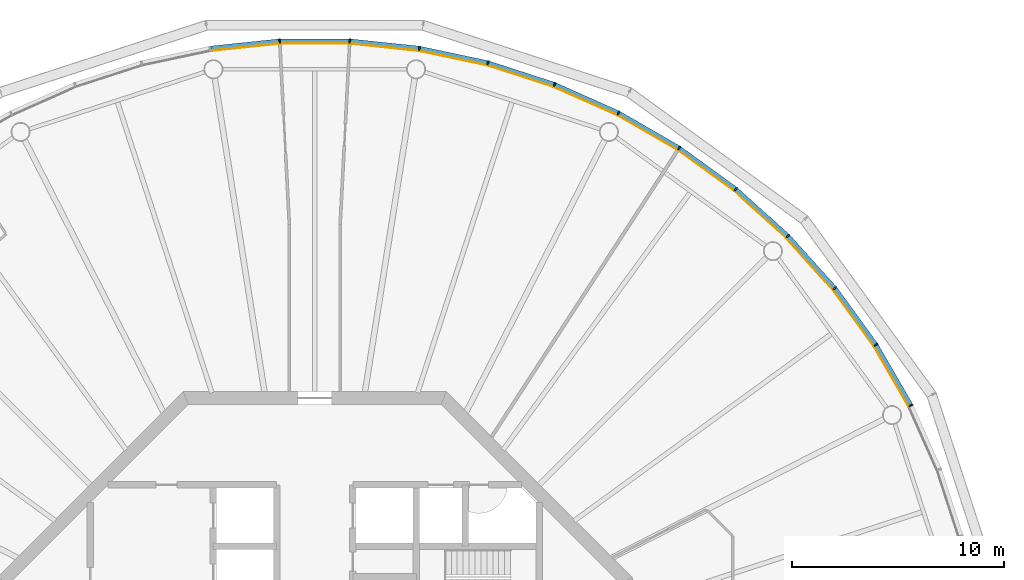
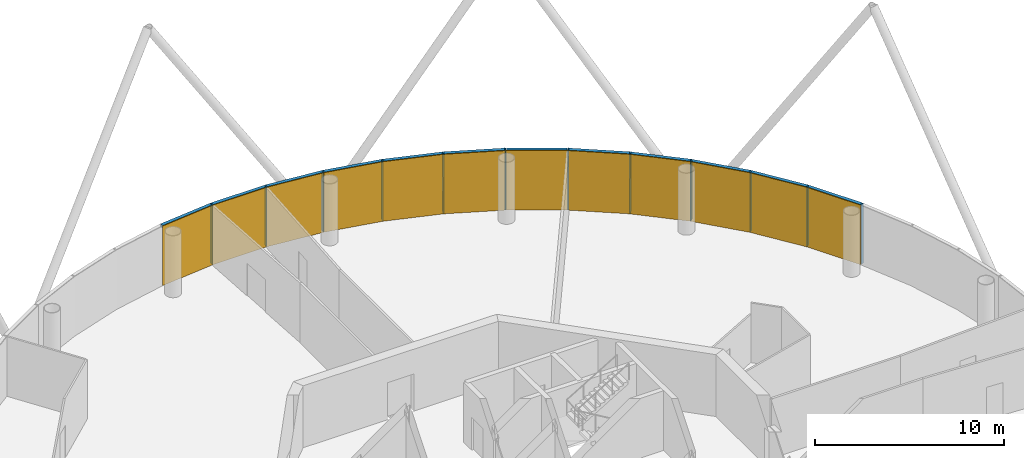
# One storey, part 12 of 13: 24 members, 4 curtain walls.
"""IFC4 building model written with IfcOpenShell, lengths in metres."""

from ifc_helpers import new_model, si_unit, direction, frame, origin, origin_2d, place, context, subcontext, project, spatial, polyline, rectangle, outline, extrude, material, layer, layer_set, material_profile, profile_set, type_object, element, aggregate, save


model = new_model("IFC4")

# Units and contexts
model_context = context("Model", 3, precision=1e-05, world=origin(), true_north=direction((0.0, 1.0)))
body_context = subcontext(model_context, "Body", "Model", "MODEL_VIEW")
ifc_project = project(units=[si_unit("LENGTHUNIT", "METRE"), si_unit("AREAUNIT", "SQUARE_METRE"), si_unit("VOLUMEUNIT", "CUBIC_METRE"), si_unit("PLANEANGLEUNIT", "RADIAN"), si_unit("MASSUNIT", "GRAM", prefix="KILO")], contexts=[model_context])

# Member
ifc_material_1 = material(Name="Anodised aluminium", Category="aluminium")
ifc_material_profile_1 = material_profile(ifc_material_1, rectangle(XDim=0.070068359375, YDim=0.205078125, at=origin_2d()), Name="Mullion 70 x 205 mm anodised aluminium")
ifc_profile_set_1 = profile_set([ifc_material_profile_1], Name="Anodised aluminium")
member_type_1 = type_object("IfcMemberType", Name="Mullion 70 x 205 mm anodised aluminium", PredefinedType="MULLION", material=ifc_profile_set_1)
site_placement = place(None, origin())
building_placement = place(site_placement, origin())
storey_placement = place(building_placement, frame((0.0, 0.0, 356.0)))
member_1_placement = place(storey_placement, frame((118.157958984375, 94.34716796875, 0.0), z_axis=(0.0, 0.0, 1.0), x_axis=(-0.45399049974, 0.891006524188, 0.0)))
member_1 = element("IfcMember", 1, at=member_1_placement, type_object=member_type_1, Name="MULLION L82-03", PredefinedType="MULLION", context=body_context, shape_type="SweptSolid", body=[
    extrude(rectangle(XDim=0.070068359375, YDim=0.205078125, at=origin_2d()), origin(), (0.0, 0.0, 1.0), 3.85009765625),
])

member_2_placement = place(storey_placement, frame((116.504150390625, 97.2119140625, 0.0), z_axis=(0.0, 0.0, 1.0), x_axis=(-0.544639035015, 0.838670567945, 0.0)))
member_2 = element("IfcMember", 2, at=member_2_placement, type_object=member_type_1, Name="MULLION L82-04", PredefinedType="MULLION", context=body_context, shape_type="SweptSolid", body=[
    extrude(rectangle(XDim=0.070068359375, YDim=0.205078125, at=origin_2d()), origin(), (0.0, 0.0, 1.0), 3.85009765625),
])

member_3_placement = place(storey_placement, frame((114.559814453125, 99.88818359375, 0.0), z_axis=(0.0, 0.0, 1.0), x_axis=(-0.62932039105, 0.777145961457, 0.0)))
member_3 = element("IfcMember", 3, at=member_3_placement, type_object=member_type_1, Name="MULLION L82-05", PredefinedType="MULLION", context=body_context, shape_type="SweptSolid", body=[
    extrude(rectangle(XDim=0.070068359375, YDim=0.205078125, at=origin_2d()), origin(), (0.0, 0.0, 1.0), 3.85009765625),
])

member_4_placement = place(storey_placement, frame((112.346435546875, 102.346435546875, 0.0), z_axis=(0.0, 0.0, 1.0), x_axis=(-0.707106781187, 0.707106781187, 0.0)))
member_4 = element("IfcMember", 4, at=member_4_placement, type_object=member_type_1, Name="MULLION L82-06", PredefinedType="MULLION", context=body_context, shape_type="SweptSolid", body=[
    extrude(rectangle(XDim=0.070068359375, YDim=0.205078125, at=origin_2d()), origin(), (0.0, 0.0, 1.0), 3.85009765625),
])

member_5_placement = place(storey_placement, frame((109.88818359375, 104.559814453125, 0.0), z_axis=(0.0, 0.0, 1.0), x_axis=(-0.777145961457, 0.62932039105, 0.0)))
member_5 = element("IfcMember", 5, at=member_5_placement, type_object=member_type_1, Name="MULLION L82-07", PredefinedType="MULLION", context=body_context, shape_type="SweptSolid", body=[
    extrude(rectangle(XDim=0.070068359375, YDim=0.205078125, at=origin_2d()), origin(), (0.0, 0.0, 1.0), 3.85009765625),
])

member_6_placement = place(storey_placement, frame((107.2119140625, 106.504150390625, 0.0), z_axis=(0.0, 0.0, 1.0), x_axis=(-0.838670567945, 0.544639035015, 0.0)))
member_6 = element("IfcMember", 6, at=member_6_placement, type_object=member_type_1, Name="MULLION L82-08", PredefinedType="MULLION", context=body_context, shape_type="SweptSolid", body=[
    extrude(rectangle(XDim=0.070068359375, YDim=0.205078125, at=origin_2d()), origin(), (0.0, 0.0, 1.0), 3.85009765625),
])

member_7_placement = place(storey_placement, frame((104.34716796875, 108.157958984375, 0.0), z_axis=(0.0, 0.0, 1.0), x_axis=(-0.891006524188, 0.45399049974, 0.0)))
member_7 = element("IfcMember", 7, at=member_7_placement, type_object=member_type_1, Name="MULLION L82-09", PredefinedType="MULLION", context=body_context, shape_type="SweptSolid", body=[
    extrude(rectangle(XDim=0.070068359375, YDim=0.205078125, at=origin_2d()), origin(), (0.0, 0.0, 1.0), 3.85009765625),
])

member_8_placement = place(storey_placement, frame((101.325439453125, 109.50341796875, 0.0), z_axis=(0.0, 0.0, 1.0), x_axis=(-0.933580426497, 0.358367949545, 0.0)))
member_8 = element("IfcMember", 8, at=member_8_placement, type_object=member_type_1, Name="MULLION L82-10", PredefinedType="MULLION", context=body_context, shape_type="SweptSolid", body=[
    extrude(rectangle(XDim=0.070068359375, YDim=0.205078125, at=origin_2d()), origin(), (0.0, 0.0, 1.0), 3.85009765625),
])

member_9_placement = place(storey_placement, frame((98.179443359375, 110.525634765625, 0.0), z_axis=(0.0, 0.0, 1.0), x_axis=(-0.965925826289, 0.258819045103, 0.0)))
member_9 = element("IfcMember", 9, at=member_9_placement, type_object=member_type_1, Name="MULLION L82-11", PredefinedType="MULLION", context=body_context, shape_type="SweptSolid", body=[
    extrude(rectangle(XDim=0.070068359375, YDim=0.205078125, at=origin_2d()), origin(), (0.0, 0.0, 1.0), 3.85009765625),
])

member_10_placement = place(storey_placement, frame((94.943603515625, 111.21337890625, 0.0), z_axis=(0.0, 0.0, 1.0), x_axis=(-0.987688340595, 0.15643446504, 0.0)))
member_10 = element("IfcMember", 10, at=member_10_placement, type_object=member_type_1, Name="MULLION L82-12", PredefinedType="MULLION", context=body_context, shape_type="SweptSolid", body=[
    extrude(rectangle(XDim=0.070068359375, YDim=0.205078125, at=origin_2d()), origin(), (0.0, 0.0, 1.0), 3.85009765625),
])

member_11_placement = place(storey_placement, frame((91.654052734375, 111.55908203125, 0.0), z_axis=(0.0, 0.0, 1.0), x_axis=(-0.998629534755, 0.052335956243, 0.0)))
member_11 = element("IfcMember", 11, at=member_11_placement, type_object=member_type_1, Name="MULLION L82-13", PredefinedType="MULLION", context=body_context, shape_type="SweptSolid", body=[
    extrude(rectangle(XDim=0.070068359375, YDim=0.205078125, at=origin_2d()), origin(), (0.0, 0.0, 1.0), 3.85009765625),
])

member_12_placement = place(storey_placement, frame((88.345947265625, 111.55908203125, 0.0), z_axis=(0.0, 0.0, 1.0), x_axis=(-0.998629534755, -0.052335956243, 0.0)))
member_12 = element("IfcMember", 12, at=member_12_placement, type_object=member_type_1, Name="MULLION L82-14", PredefinedType="MULLION", context=body_context, shape_type="SweptSolid", body=[
    extrude(rectangle(XDim=0.070068359375, YDim=0.205078125, at=origin_2d()), origin(), (0.0, 0.0, 1.0), 3.85009765625),
])

ifc_material_2 = material(Name="Anodised aluminium", Category="aluminium")
ifc_material_profile_2 = material_profile(ifc_material_2, rectangle(XDim=0.205078125, YDim=0.195068359375, at=origin_2d()), Name="Transom 195 x 205 mm anodised aluminium")
ifc_profile_set_2 = profile_set([ifc_material_profile_2], Name="Anodised aluminium")
member_type_2 = type_object("IfcMemberType", Name="Transom 195 x 205 mm anodised aluminium", PredefinedType="USERDEFINED", material=ifc_profile_set_2)
member_13_placement = place(storey_placement, frame((118.137939453125, 94.38232421875, 3.75244140625), z_axis=(-0.500004055213, 0.866023062494, 0.0), x_axis=(-0.866023062494, -0.500004055213, 0.0)))
member_13 = element("IfcMember", 13, at=member_13_placement, type_object=member_type_2, Name="TRANSOM L82-03", ObjectType="TRANSOM", PredefinedType="USERDEFINED", context=body_context, shape_type="SweptSolid", body=[
    extrude(rectangle(XDim=0.205078125, YDim=0.195068359375, at=origin_2d()), origin(), (0.0, 0.0, 1.0), 3.22705078125),
])

member_14_placement = place(storey_placement, frame((116.48046875, 97.24462890625, 3.75244140625), z_axis=(-0.587802790201, 0.809004252048, 0.0), x_axis=(-0.809004252048, -0.587802790201, 0.0)))
member_14 = element("IfcMember", 14, at=member_14_placement, type_object=member_type_2, Name="TRANSOM L82-04", ObjectType="TRANSOM", PredefinedType="USERDEFINED", context=body_context, shape_type="SweptSolid", body=[
    extrude(rectangle(XDim=0.205078125, YDim=0.195068359375, at=origin_2d()), origin(), (0.0, 0.0, 1.0), 3.227294921875),
])

member_15_placement = place(storey_placement, frame((114.532958984375, 99.918212890625, 3.75244140625), z_axis=(-0.669144438484, 0.743132370743, 0.0), x_axis=(-0.743132370743, -0.669144438484, 0.0)))
member_15 = element("IfcMember", 15, at=member_15_placement, type_object=member_type_2, Name="TRANSOM L82-05", ObjectType="TRANSOM", PredefinedType="USERDEFINED", context=body_context, shape_type="SweptSolid", body=[
    extrude(rectangle(XDim=0.205078125, YDim=0.195068359375, at=origin_2d()), origin(), (0.0, 0.0, 1.0), 3.22705078125),
])

member_16_placement = place(storey_placement, frame((112.31640625, 102.37353515625, 3.75244140625), z_axis=(-0.743132370743, 0.669144438484, 0.0), x_axis=(-0.669144438484, -0.743132370743, 0.0)))
member_16 = element("IfcMember", 16, at=member_16_placement, type_object=member_type_2, Name="TRANSOM L82-06", ObjectType="TRANSOM", PredefinedType="USERDEFINED", context=body_context, shape_type="SweptSolid", body=[
    extrude(rectangle(XDim=0.205078125, YDim=0.195068359375, at=origin_2d()), origin(), (0.0, 0.0, 1.0), 3.22705078125),
])

member_17_placement = place(storey_placement, frame((109.85546875, 104.58349609375, 3.75244140625), z_axis=(-0.809004252048, 0.587802790201, 0.0), x_axis=(-0.587802790201, -0.809004252048, 0.0)))
member_17 = element("IfcMember", 17, at=member_17_placement, type_object=member_type_2, Name="TRANSOM L82-07", ObjectType="TRANSOM", PredefinedType="USERDEFINED", context=body_context, shape_type="SweptSolid", body=[
    extrude(rectangle(XDim=0.205078125, YDim=0.195068359375, at=origin_2d()), origin(), (0.0, 0.0, 1.0), 3.227294921875),
])

member_18_placement = place(storey_placement, frame((107.177001953125, 106.5244140625, 3.75244140625), z_axis=(-0.866023062494, 0.500004055213, 0.0), x_axis=(-0.500004055213, -0.866023062494, 0.0)))
member_18 = element("IfcMember", 18, at=member_18_placement, type_object=member_type_2, Name="TRANSOM L82-08", ObjectType="TRANSOM", PredefinedType="USERDEFINED", context=body_context, shape_type="SweptSolid", body=[
    extrude(rectangle(XDim=0.205078125, YDim=0.195068359375, at=origin_2d()), origin(), (0.0, 0.0, 1.0), 3.22705078125),
])

member_19_placement = place(storey_placement, frame((104.310302734375, 108.174560546875, 3.75244140625), z_axis=(-0.913521178731, 0.406791170024, 0.0), x_axis=(-0.406791170024, -0.913521178731, 0.0)))
member_19 = element("IfcMember", 19, at=member_19_placement, type_object=member_type_2, Name="TRANSOM L82-09", ObjectType="TRANSOM", PredefinedType="USERDEFINED", context=body_context, shape_type="SweptSolid", body=[
    extrude(rectangle(XDim=0.205078125, YDim=0.195068359375, at=origin_2d()), origin(), (0.0, 0.0, 1.0), 3.22705078125),
])

member_20_placement = place(storey_placement, frame((101.286865234375, 109.51611328125, 3.75244140625), z_axis=(-0.951046855117, 0.309046726844, 0.0), x_axis=(-0.309046726844, -0.951046855117, 0.0)))
member_20 = element("IfcMember", 20, at=member_20_placement, type_object=member_type_2, Name="TRANSOM L82-10", ObjectType="TRANSOM", PredefinedType="USERDEFINED", context=body_context, shape_type="SweptSolid", body=[
    extrude(rectangle(XDim=0.205078125, YDim=0.195068359375, at=origin_2d()), origin(), (0.0, 0.0, 1.0), 3.22705078125),
])

member_21_placement = place(storey_placement, frame((98.139892578125, 110.5341796875, 3.75244140625), z_axis=(-0.978153082647, 0.207885898771, 0.0), x_axis=(-0.207885898771, -0.978153082647, 0.0)))
member_21 = element("IfcMember", 21, at=member_21_placement, type_object=member_type_2, Name="TRANSOM L82-11", ObjectType="TRANSOM", PredefinedType="USERDEFINED", context=body_context, shape_type="SweptSolid", body=[
    extrude(rectangle(XDim=0.205078125, YDim=0.195068359375, at=origin_2d()), origin(), (0.0, 0.0, 1.0), 3.227294921875),
])

member_22_placement = place(storey_placement, frame((94.903564453125, 111.2177734375, 3.75244140625), z_axis=(-0.994519537956, 0.104550890115, 0.0), x_axis=(-0.104550890115, -0.994519537956, 0.0)))
member_22 = element("IfcMember", 22, at=member_22_placement, type_object=member_type_2, Name="TRANSOM L82-12", ObjectType="TRANSOM", PredefinedType="USERDEFINED", context=body_context, shape_type="SweptSolid", body=[
    extrude(rectangle(XDim=0.205078125, YDim=0.195068359375, at=origin_2d()), origin(), (0.0, 0.0, 1.0), 3.22705078125),
])

member_23_placement = place(storey_placement, frame((91.613525390625, 111.559326171875, 3.75244140625), z_axis=(-1.0, 0.0, 0.0), x_axis=(0.0, -1.0, 0.0)))
member_23 = element("IfcMember", 23, at=member_23_placement, type_object=member_type_2, Name="TRANSOM L82-13", ObjectType="TRANSOM", PredefinedType="USERDEFINED", context=body_context, shape_type="SweptSolid", body=[
    extrude(rectangle(XDim=0.205078125, YDim=0.195068359375, at=origin_2d()), origin(), (0.0, 0.0, 1.0), 3.22705078125),
])

member_24_placement = place(storey_placement, frame((88.305908203125, 111.55517578125, 3.75244140625), z_axis=(-0.994519537956, -0.104550890115, 0.0), x_axis=(0.104550890115, -0.994519537956, 0.0)))
member_24 = element("IfcMember", 24, at=member_24_placement, type_object=member_type_2, Name="TRANSOM L82-14", ObjectType="TRANSOM", PredefinedType="USERDEFINED", context=body_context, shape_type="SweptSolid", body=[
    extrude(rectangle(XDim=0.205078125, YDim=0.195068359375, at=origin_2d()), origin(), (0.0, 0.0, 1.0), 3.22705078125),
])

# Site, building, storey
site = spatial("IfcSite", under=ifc_project, at=site_placement, CompositionType="ELEMENT")
building = spatial("IfcBuilding", under=site, at=building_placement, Name="Entoto Ring Tower", CompositionType="ELEMENT")
storey = spatial("IfcBuildingStorey", under=building, at=storey_placement, Name="L82", CompositionType="ELEMENT", Elevation=356.0)

# Curtain wall
ifc_material_3 = material(Name="Clear low-iron glass", Category="glass")
ifc_layer = layer(ifc_material_3, 0.035888671875)
ifc_layer_set = layer_set([ifc_layer], Name="Clear low-iron glass")
curtain_wall_type = type_object("IfcCurtainWallType", Name="Curtain wall system CW6 glazing 36 mm", PredefinedType="NOTDEFINED", material=ifc_layer_set)
curtain_wall_1_placement = place(storey_placement, origin())
curtain_wall_1 = element("IfcCurtainWall", 25, at=curtain_wall_1_placement, inside=storey, type_object=curtain_wall_type, Name="CW6 L82-02", PredefinedType="NOTDEFINED", context=body_context, shape_type="SweptSolid", body=[
    extrude(outline(polyline([(118.066650390625, 94.30078125), (116.418212890625, 97.15625), (114.47998046875, 99.823486328125), (112.27392578125, 102.27392578125), (112.248291015625, 102.248291015625), (114.4521484375, 99.801025390625), (116.387939453125, 97.136474609375), (118.03466796875, 94.284423828125), (118.066650390625, 94.30078125)])), origin(), (0.0, 0.0, 1.0), 3.85009765625),
])

aggregate(curtain_wall_1, [member_1, member_2, member_3, member_13, member_14, member_15])

curtain_wall_2_placement = place(storey_placement, origin())
curtain_wall_2 = element("IfcCurtainWall", 26, at=curtain_wall_2_placement, inside=storey, type_object=curtain_wall_type, Name="CW6 L82-03", PredefinedType="NOTDEFINED", context=body_context, shape_type="SweptSolid", body=[
    extrude(outline(polyline([(112.27392578125, 102.27392578125), (109.823486328125, 104.47998046875), (107.15625, 106.418212890625), (104.30078125, 108.066650390625), (104.284423828125, 108.03466796875), (107.136474609375, 106.387939453125), (109.801025390625, 104.4521484375), (112.248291015625, 102.248291015625), (112.27392578125, 102.27392578125)])), origin(), (0.0, 0.0, 1.0), 3.85009765625),
])

aggregate(curtain_wall_2, [member_4, member_5, member_6, member_16, member_17, member_18])

curtain_wall_3_placement = place(storey_placement, origin())
curtain_wall_3 = element("IfcCurtainWall", 27, at=curtain_wall_3_placement, inside=storey, type_object=curtain_wall_type, Name="CW6 L82-04", PredefinedType="NOTDEFINED", context=body_context, shape_type="SweptSolid", body=[
    extrude(outline(polyline([(104.30078125, 108.066650390625), (101.28857421875, 109.40771484375), (98.15283203125, 110.4267578125), (94.927734375, 111.1123046875), (94.922119140625, 111.07666015625), (98.1435546875, 110.391845703125), (101.275634765625, 109.3740234375), (104.284423828125, 108.03466796875), (104.30078125, 108.066650390625)])), origin(), (0.0, 0.0, 1.0), 3.85009765625),
])

aggregate(curtain_wall_3, [member_7, member_8, member_9, member_19, member_20, member_21])

curtain_wall_4_placement = place(storey_placement, origin())
curtain_wall_4 = element("IfcCurtainWall", 28, at=curtain_wall_4_placement, inside=storey, type_object=curtain_wall_type, Name="CW6 L82-05", PredefinedType="NOTDEFINED", context=body_context, shape_type="SweptSolid", body=[
    extrude(outline(polyline([(94.927734375, 111.1123046875), (91.648681640625, 111.456787109375), (88.351318359375, 111.456787109375), (85.072265625, 111.1123046875), (85.077880859375, 111.07666015625), (88.353271484375, 111.4208984375), (91.646728515625, 111.4208984375), (94.922119140625, 111.07666015625), (94.927734375, 111.1123046875)])), origin(), (0.0, 0.0, 1.0), 3.85009765625),
])

aggregate(curtain_wall_4, [member_10, member_11, member_12, member_22, member_23, member_24])

save(model, "model.ifc")
